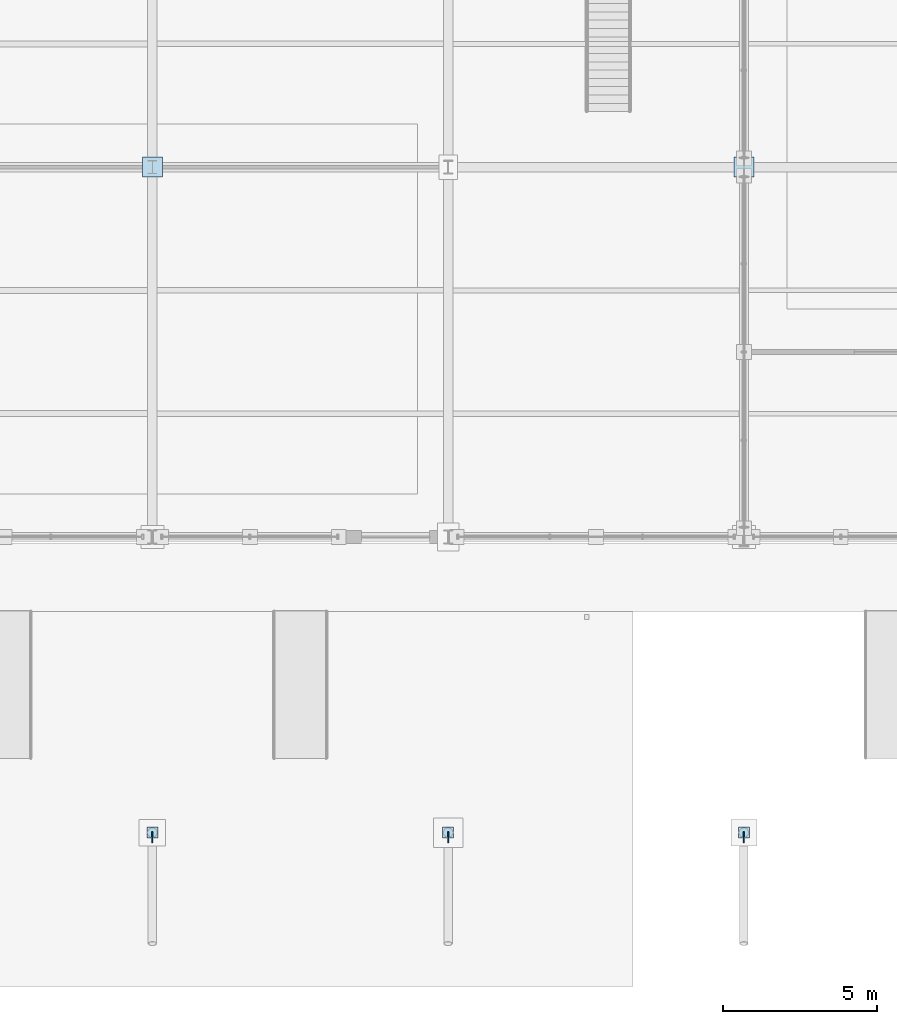
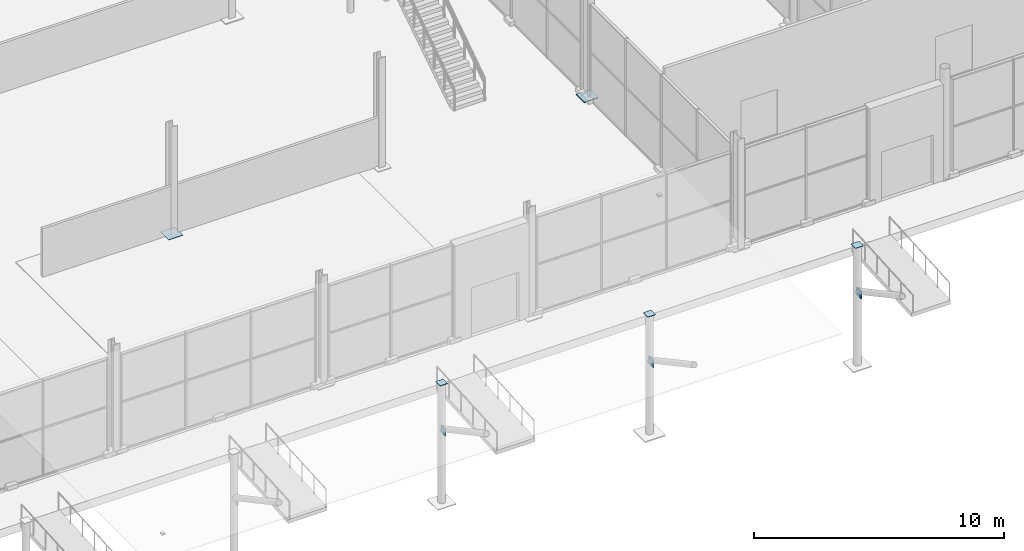
# One storey, part 154 of 196: 8 plates.
"""IFC4 building model written with IfcOpenShell, lengths in metres."""

from ifc_helpers import new_model, si_unit, direction, frame, origin, origin_2d, place, context, subcontext, project, spatial, rectangle, extrude, material, layer, layer_set, type_object, element, save


model = new_model("IFC4")

# Units and contexts
model_context = context("Model", 3, precision=1e-05, world=origin(), true_north=direction((0.0, 1.0)))
body_context = subcontext(model_context, "Body", "Model", "MODEL_VIEW")
ifc_project = project(units=[si_unit("LENGTHUNIT", "METRE"), si_unit("AREAUNIT", "SQUARE_METRE"), si_unit("VOLUMEUNIT", "CUBIC_METRE"), si_unit("PLANEANGLEUNIT", "RADIAN"), si_unit("MASSUNIT", "GRAM", prefix="KILO")], contexts=[model_context])

# Site, building, storey
site_placement = place(None, origin())
site = spatial("IfcSite", under=ifc_project, at=site_placement, CompositionType="ELEMENT")
building_placement = place(site_placement, origin())
building = spatial("IfcBuilding", under=site, at=building_placement, Name="Merenkruunu Market Hall", CompositionType="ELEMENT")
storey_placement = place(building_placement, origin())
storey = spatial("IfcBuildingStorey", under=building, at=storey_placement, Name="L00", CompositionType="ELEMENT", Elevation=0.0)

# Plates
ifc_material = material(Name="Steel S355ML", Category="steel")
ifc_layer_1 = layer(ifc_material, 0.034912109375)
ifc_layer_set_1 = layer_set([ifc_layer_1], Name="Steel S355ML")
plate_type_1 = type_object("IfcPlateType", Name="Column Base Plate BP03", PredefinedType="USERDEFINED", material=ifc_layer_set_1)
for number, where, z_axis, x_axis, name in (
    (1, (38.39990234375, 27.60009765625, 0.0), (0.0, 0.0, 1.0), (1.0, 0.0, 0.0), "PLT-BP-E-04"),
    (2, (57.60009765625, 27.60009765625, 0.0), (0.0, 0.0, 1.0), (1.0, 0.0, 0.0), "PLT-BP-G-04"),
):
    element("IfcPlate", number, at=place(storey_placement, frame(where, z_axis=z_axis, x_axis=x_axis)), inside=storey, type_object=plate_type_1, Name=name, ObjectType="BASE_PLATE", PredefinedType="USERDEFINED", context=body_context, shape_type="SweptSolid", body=[
        extrude(rectangle(XDim=0.64990234375, YDim=0.64990234375, at=origin_2d()), origin(), (0.0, 0.0, 1.0), 0.034912109375),
    ])
ifc_layer_2 = layer(ifc_material, 0.02001953125)
ifc_layer_set_2 = layer_set([ifc_layer_2], Name="Steel S355ML")
plate_type_2 = type_object("IfcPlateType", Name="Truss Gusset Or Cap Plate CP01", PredefinedType="USERDEFINED", material=ifc_layer_set_2)
for number, where, z_axis, x_axis, name in (
    (3, (38.39990234375, 6.0, 5.837890625), (0.0, 0.0, 1.0), (1.0, 0.0, 0.0), "PLT-CAP-015"),
    (4, (48.0, 6.0, 5.837890625), (0.0, 0.0, 1.0), (1.0, 0.0, 0.0), "PLT-CAP-016"),
    (5, (57.60009765625, 6.0, 5.837890625), (0.0, 0.0, 1.0), (1.0, 0.0, 0.0), "PLT-CAP-017"),
):
    element("IfcPlate", number, at=place(storey_placement, frame(where, z_axis=z_axis, x_axis=x_axis)), inside=storey, type_object=plate_type_2, Name=name, ObjectType="GUSSET_PLATE", PredefinedType="USERDEFINED", context=body_context, shape_type="SweptSolid", body=[
        extrude(rectangle(XDim=0.360107421875, YDim=0.360107421875, at=origin_2d()), origin(), (0.0, 0.0, 1.0), 0.02001953125),
    ])
ifc_layer_3 = layer(ifc_material, 0.035888671875)
ifc_layer_set_3 = layer_set([ifc_layer_3], Name="Steel S355ML")
plate_type_3 = type_object("IfcPlateType", Name="Truss Gusset Or Cap Plate CP08", PredefinedType="USERDEFINED", material=ifc_layer_set_3)
for number, where, z_axis, x_axis, name in (
    (6, (38.39990234375, 5.85009765625, 3.41015625), (0.0, 0.0, 1.0), (1.0, 0.0, 0.0), "PLT-V6-STRUT-038-A"),
    (7, (48.0, 5.85009765625, 3.41015625), (0.0, 0.0, 1.0), (1.0, 0.0, 0.0), "PLT-V6-STRUT-048-A"),
    (8, (57.60009765625, 5.85009765625, 3.41015625), (0.0, 0.0, 1.0), (1.0, 0.0, 0.0), "PLT-V6-STRUT-058-A"),
):
    element("IfcPlate", number, at=place(storey_placement, frame(where, z_axis=z_axis, x_axis=x_axis)), inside=storey, type_object=plate_type_3, Name=name, ObjectType="GUSSET_PLATE", PredefinedType="USERDEFINED", context=body_context, shape_type="SweptSolid", body=[
        extrude(rectangle(XDim=0.035888671875, YDim=0.360107421875, at=origin_2d()), origin(), (0.0, 0.0, 1.0), 0.3798828125),
    ])

save(model, "model.ifc")
